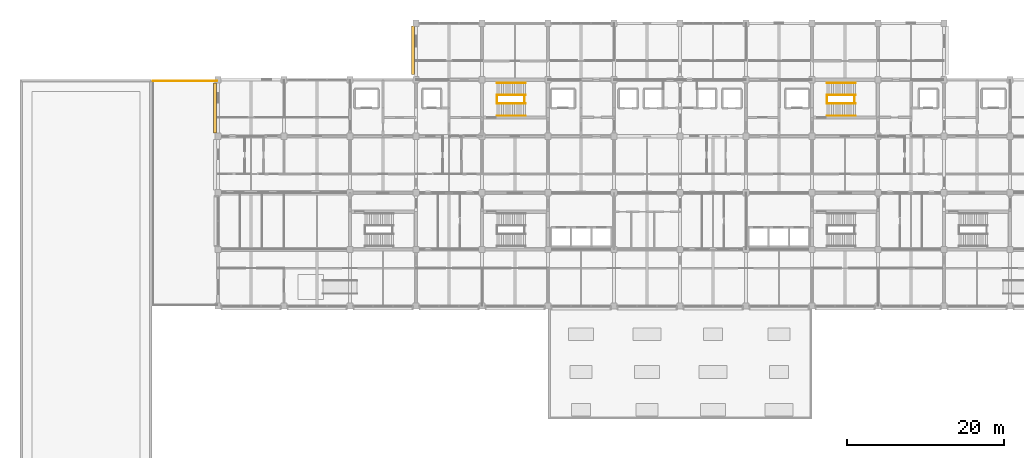
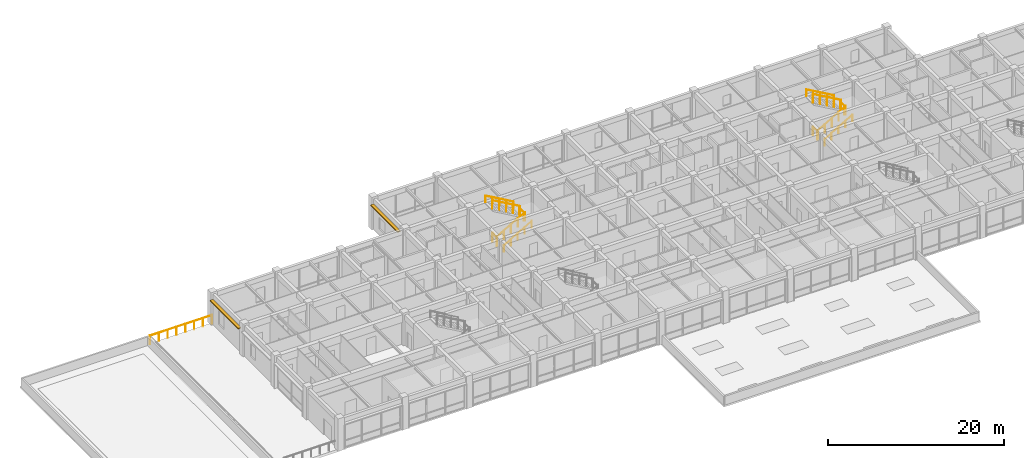
# One storey, part 37 of 40: 13 railings, 2 shading devices.
"""IFC4 building model written with IfcOpenShell, lengths in metres."""

from ifc_helpers import new_model, si_unit, direction, frame, origin, origin_2d, place, context, subcontext, project, spatial, rectangle, circle, extrude, material, type_object, element, save


model = new_model("IFC4")

# Units and contexts
model_context = context("Model", 3, precision=1e-05, world=origin(), true_north=direction((0.0, 1.0)))
body_context = subcontext(model_context, "Body", "Model", "MODEL_VIEW")
ifc_project = project(units=[si_unit("LENGTHUNIT", "METRE"), si_unit("AREAUNIT", "SQUARE_METRE"), si_unit("VOLUMEUNIT", "CUBIC_METRE"), si_unit("PLANEANGLEUNIT", "RADIAN"), si_unit("MASSUNIT", "GRAM", prefix="KILO")], contexts=[model_context])

# Site, building, storey
site_placement = place(None, origin())
site = spatial("IfcSite", under=ifc_project, at=site_placement, CompositionType="ELEMENT")
building_placement = place(site_placement, origin())
building = spatial("IfcBuilding", under=site, at=building_placement, Name="Chengyuan Square Courthouse", CompositionType="ELEMENT")
storey_placement = place(building_placement, frame((0.0, 0.0, 21.60009765625)))
storey = spatial("IfcBuildingStorey", under=building, at=storey_placement, Name="L05", CompositionType="ELEMENT", Elevation=21.60009765625)

# Railings
ifc_material_1 = material(Name="Stainless Steel S30408 and Laminated Glass Balustrade", Category="steel")
railing_type_1 = type_object("IfcRailingType", Name="RL-01", PredefinedType="BALUSTRADE", material=ifc_material_1)
railing_1_placement = place(storey_placement, frame((16.93994140625, 107.860107421875, 0.0)))
element("IfcRailing", 1, at=railing_1_placement, inside=storey, type_object=railing_type_1, Name="Terrace Safety Balustrade RL-TER-008", PredefinedType="BALUSTRADE", context=body_context, shape_type="SweptSolid", body=[
    extrude(circle(Radius=0.02392578125, at=origin_2d()), frame((0.0, 0.0, 1.17578125), z_axis=(1.0, 0.0, 0.0), x_axis=(0.0, 1.0, 0.0)), (0.0, 0.0, 1.0), 8.1201171875),
    extrude(circle(Radius=0.02099609375, at=origin_2d()), origin(), (0.0, 0.0, 1.0), 1.15185546875),
    extrude(circle(Radius=0.02099609375, at=origin_2d()), frame((1.159912109375, 0.0, 0.0)), (0.0, 0.0, 1.0), 1.15185546875),
    extrude(circle(Radius=0.02099609375, at=origin_2d()), frame((2.320068359375, 0.0, 0.0)), (0.0, 0.0, 1.0), 1.15185546875),
    extrude(circle(Radius=0.02099609375, at=origin_2d()), frame((3.47998046875, 0.0, 0.0)), (0.0, 0.0, 1.0), 1.15185546875),
    extrude(circle(Radius=0.02099609375, at=origin_2d()), frame((4.64013671875, 0.0, 0.0)), (0.0, 0.0, 1.0), 1.15185546875),
    extrude(circle(Radius=0.02099609375, at=origin_2d()), frame((5.800048828125, 0.0, 0.0)), (0.0, 0.0, 1.0), 1.15185546875),
    extrude(circle(Radius=0.02099609375, at=origin_2d()), frame((6.960205078125, 0.0, 0.0)), (0.0, 0.0, 1.0), 1.15185546875),
    extrude(circle(Radius=0.02099609375, at=origin_2d()), frame((8.1201171875, 0.0, 0.0)), (0.0, 0.0, 1.0), 1.15185546875),
])
ifc_material_2 = material(Name="Tempered Glass and Timber Top-Rail Balustrade", Category="wood")
railing_type_2 = type_object("IfcRailingType", Name="RL-02", PredefinedType="BALUSTRADE", material=ifc_material_2)
for number, where, name in (
    (2, (60.68994140625, 105.0, 0.0), "Stair Floor Slot Guard ST-1 L05"),
    (3, (64.22998046875, 105.0, 2.25), "Stair Landing Guard ST-1-L05"),
):
    element("IfcRailing", number, at=place(storey_placement, frame(where)), inside=storey, type_object=railing_type_2, Name=name, PredefinedType="BALUSTRADE", context=body_context, shape_type="SweptSolid", body=[
        extrude(circle(Radius=0.02392578125, at=origin_2d()), frame((0.0, 0.0, 1.17578125), z_axis=(0.0, 1.0, 0.0), x_axis=(-1.0, 0.0, 0.0)), (0.0, 0.0, 1.0), 1.0),
        extrude(circle(Radius=0.02099609375, at=origin_2d()), origin(), (0.0, 0.0, 1.0), 1.15185546875),
        extrude(circle(Radius=0.02099609375, at=origin_2d()), frame((0.0, 1.0, 0.0)), (0.0, 0.0, 1.0), 1.15185546875),
    ])
railing_2_placement = place(storey_placement, frame((60.7099609375, 104.949951171875, 0.16064453125)))
element("IfcRailing", 4, at=railing_2_placement, inside=storey, type_object=railing_type_2, Name="Stair Flight 1 Guard ST-1-L05", PredefinedType="BALUSTRADE", context=body_context, shape_type="SweptSolid", body=[
    extrude(circle(Radius=0.02392578125, at=origin_2d()), frame((0.0, 0.0, 1.17578125), z_axis=(0.867289372828, 0.0, 0.497804322781), x_axis=(0.0, 1.0, 0.0)), (0.0, 0.0, 1.0), 4.197021484375),
    extrude(circle(Radius=0.02099609375, at=origin_2d()), origin(), (0.0, 0.0, 1.0), 1.15185546875),
    extrude(circle(Radius=0.02099609375, at=origin_2d()), frame((0.91015625, 0.0, 0.5224609375)), (0.0, 0.0, 1.0), 1.15185546875),
    extrude(circle(Radius=0.02099609375, at=origin_2d()), frame((1.820068359375, 0.0, 1.044677734375)), (0.0, 0.0, 1.0), 1.15185546875),
    extrude(circle(Radius=0.02099609375, at=origin_2d()), frame((2.72998046875, 0.0, 1.56689453125)), (0.0, 0.0, 1.0), 1.15185546875),
    extrude(circle(Radius=0.02099609375, at=origin_2d()), frame((3.64013671875, 0.0, 2.08935546875)), (0.0, 0.0, 1.0), 1.15185546875),
])
railing_3_placement = place(storey_placement, frame((64.35009765625, 106.050048828125, 2.41064453125)))
element("IfcRailing", 5, at=railing_3_placement, inside=storey, type_object=railing_type_2, Name="Stair Flight 2 Guard ST-1-L05", PredefinedType="BALUSTRADE", context=body_context, shape_type="SweptSolid", body=[
    extrude(circle(Radius=0.02392578125, at=origin_2d()), frame((0.0, 0.0, 1.17578125), z_axis=(-0.867289372828, 0.0, 0.497804322781), x_axis=(0.0, -1.0, 0.0)), (0.0, 0.0, 1.0), 4.197021484375),
    extrude(circle(Radius=0.02099609375, at=origin_2d()), origin(), (0.0, 0.0, 1.0), 1.15185546875),
    extrude(circle(Radius=0.02099609375, at=origin_2d()), frame((-0.91015625, 0.0, 0.5224609375)), (0.0, 0.0, 1.0), 1.15185546875),
    extrude(circle(Radius=0.02099609375, at=origin_2d()), frame((-1.820068359375, 0.0, 1.044677734375)), (0.0, 0.0, 1.0), 1.15185546875),
    extrude(circle(Radius=0.02099609375, at=origin_2d()), frame((-2.72998046875, 0.0, 1.56689453125)), (0.0, 0.0, 1.0), 1.15185546875),
    extrude(circle(Radius=0.02099609375, at=origin_2d()), frame((-3.64013671875, 0.0, 2.08935546875)), (0.0, 0.0, 1.0), 1.15185546875),
])
for number, where, name in (
    (6, (102.68994140625, 105.0, 0.0), "Stair Floor Slot Guard ST-2 L05"),
    (7, (106.22998046875, 105.0, 2.25), "Stair Landing Guard ST-2-L05"),
):
    element("IfcRailing", number, at=place(storey_placement, frame(where)), inside=storey, type_object=railing_type_2, Name=name, PredefinedType="BALUSTRADE", context=body_context, shape_type="SweptSolid", body=[
        extrude(circle(Radius=0.02392578125, at=origin_2d()), frame((0.0, 0.0, 1.17578125), z_axis=(0.0, 1.0, 0.0), x_axis=(-1.0, 0.0, 0.0)), (0.0, 0.0, 1.0), 1.0),
        extrude(circle(Radius=0.02099609375, at=origin_2d()), origin(), (0.0, 0.0, 1.0), 1.15185546875),
        extrude(circle(Radius=0.02099609375, at=origin_2d()), frame((0.0, 1.0, 0.0)), (0.0, 0.0, 1.0), 1.15185546875),
    ])
railing_4_placement = place(storey_placement, frame((102.7099609375, 104.949951171875, 0.16064453125)))
element("IfcRailing", 8, at=railing_4_placement, inside=storey, type_object=railing_type_2, Name="Stair Flight 1 Guard ST-2-L05", PredefinedType="BALUSTRADE", context=body_context, shape_type="SweptSolid", body=[
    extrude(circle(Radius=0.02392578125, at=origin_2d()), frame((0.0, 0.0, 1.17578125), z_axis=(0.867289372828, 0.0, 0.497804322781), x_axis=(0.0, 1.0, 0.0)), (0.0, 0.0, 1.0), 4.197021484375),
    extrude(circle(Radius=0.02099609375, at=origin_2d()), origin(), (0.0, 0.0, 1.0), 1.15185546875),
    extrude(circle(Radius=0.02099609375, at=origin_2d()), frame((0.91015625, 0.0, 0.5224609375)), (0.0, 0.0, 1.0), 1.15185546875),
    extrude(circle(Radius=0.02099609375, at=origin_2d()), frame((1.820068359375, 0.0, 1.044677734375)), (0.0, 0.0, 1.0), 1.15185546875),
    extrude(circle(Radius=0.02099609375, at=origin_2d()), frame((2.72998046875, 0.0, 1.56689453125)), (0.0, 0.0, 1.0), 1.15185546875),
    extrude(circle(Radius=0.02099609375, at=origin_2d()), frame((3.64013671875, 0.0, 2.08935546875)), (0.0, 0.0, 1.0), 1.15185546875),
])
railing_5_placement = place(storey_placement, frame((106.35009765625, 106.050048828125, 2.41064453125)))
element("IfcRailing", 9, at=railing_5_placement, inside=storey, type_object=railing_type_2, Name="Stair Flight 2 Guard ST-2-L05", PredefinedType="BALUSTRADE", context=body_context, shape_type="SweptSolid", body=[
    extrude(circle(Radius=0.02392578125, at=origin_2d()), frame((0.0, 0.0, 1.17578125), z_axis=(-0.867289372828, 0.0, 0.497804322781), x_axis=(0.0, -1.0, 0.0)), (0.0, 0.0, 1.0), 4.197021484375),
    extrude(circle(Radius=0.02099609375, at=origin_2d()), origin(), (0.0, 0.0, 1.0), 1.15185546875),
    extrude(circle(Radius=0.02099609375, at=origin_2d()), frame((-0.91015625, 0.0, 0.5224609375)), (0.0, 0.0, 1.0), 1.15185546875),
    extrude(circle(Radius=0.02099609375, at=origin_2d()), frame((-1.820068359375, 0.0, 1.044677734375)), (0.0, 0.0, 1.0), 1.15185546875),
    extrude(circle(Radius=0.02099609375, at=origin_2d()), frame((-2.72998046875, 0.0, 1.56689453125)), (0.0, 0.0, 1.0), 1.15185546875),
    extrude(circle(Radius=0.02099609375, at=origin_2d()), frame((-3.64013671875, 0.0, 2.08935546875)), (0.0, 0.0, 1.0), 1.15185546875),
])
ifc_material_3 = material(Name="Stainless Steel S30408 Stair Handrail", Category="steel")
railing_type_3 = type_object("IfcRailingType", Name="RL-04", PredefinedType="HANDRAIL", material=ifc_material_3)
railing_6_placement = place(storey_placement, frame((60.7099609375, 103.419921875, 0.16064453125)))
element("IfcRailing", 10, at=railing_6_placement, inside=storey, type_object=railing_type_3, Name="Stair Flight 1 Handrail ST-1-L05", PredefinedType="HANDRAIL", context=body_context, shape_type="SweptSolid", body=[
    extrude(circle(Radius=0.02392578125, at=origin_2d()), frame((0.0, 0.0, 0.8759765625), z_axis=(0.867289372828, 0.0, 0.497804322781), x_axis=(0.0, 1.0, 0.0)), (0.0, 0.0, 1.0), 4.197021484375),
    extrude(circle(Radius=0.02099609375, at=origin_2d()), origin(), (0.0, 0.0, 1.0), 0.851806640625),
    extrude(circle(Radius=0.02099609375, at=origin_2d()), frame((0.91015625, 0.0, 0.5224609375)), (0.0, 0.0, 1.0), 0.851806640625),
    extrude(circle(Radius=0.02099609375, at=origin_2d()), frame((1.820068359375, 0.0, 1.044677734375)), (0.0, 0.0, 1.0), 0.851806640625),
    extrude(circle(Radius=0.02099609375, at=origin_2d()), frame((2.72998046875, 0.0, 1.56689453125)), (0.0, 0.0, 1.0), 0.851806640625),
    extrude(circle(Radius=0.02099609375, at=origin_2d()), frame((3.64013671875, 0.0, 2.08935546875)), (0.0, 0.0, 1.0), 0.851806640625),
])
railing_7_placement = place(storey_placement, frame((64.35009765625, 107.580078125, 2.41064453125)))
element("IfcRailing", 11, at=railing_7_placement, inside=storey, type_object=railing_type_3, Name="Stair Flight 2 Handrail ST-1-L05", PredefinedType="HANDRAIL", context=body_context, shape_type="SweptSolid", body=[
    extrude(circle(Radius=0.02392578125, at=origin_2d()), frame((0.0, 0.0, 0.8759765625), z_axis=(-0.867289372828, 0.0, 0.497804322781), x_axis=(0.0, -1.0, 0.0)), (0.0, 0.0, 1.0), 4.197021484375),
    extrude(circle(Radius=0.02099609375, at=origin_2d()), origin(), (0.0, 0.0, 1.0), 0.851806640625),
    extrude(circle(Radius=0.02099609375, at=origin_2d()), frame((-0.91015625, 0.0, 0.5224609375)), (0.0, 0.0, 1.0), 0.851806640625),
    extrude(circle(Radius=0.02099609375, at=origin_2d()), frame((-1.820068359375, 0.0, 1.044677734375)), (0.0, 0.0, 1.0), 0.851806640625),
    extrude(circle(Radius=0.02099609375, at=origin_2d()), frame((-2.72998046875, 0.0, 1.56689453125)), (0.0, 0.0, 1.0), 0.851806640625),
    extrude(circle(Radius=0.02099609375, at=origin_2d()), frame((-3.64013671875, 0.0, 2.08935546875)), (0.0, 0.0, 1.0), 0.851806640625),
])
railing_8_placement = place(storey_placement, frame((102.7099609375, 103.419921875, 0.16064453125)))
element("IfcRailing", 12, at=railing_8_placement, inside=storey, type_object=railing_type_3, Name="Stair Flight 1 Handrail ST-2-L05", PredefinedType="HANDRAIL", context=body_context, shape_type="SweptSolid", body=[
    extrude(circle(Radius=0.02392578125, at=origin_2d()), frame((0.0, 0.0, 0.8759765625), z_axis=(0.867289372828, 0.0, 0.497804322781), x_axis=(0.0, 1.0, 0.0)), (0.0, 0.0, 1.0), 4.197021484375),
    extrude(circle(Radius=0.02099609375, at=origin_2d()), origin(), (0.0, 0.0, 1.0), 0.851806640625),
    extrude(circle(Radius=0.02099609375, at=origin_2d()), frame((0.91015625, 0.0, 0.5224609375)), (0.0, 0.0, 1.0), 0.851806640625),
    extrude(circle(Radius=0.02099609375, at=origin_2d()), frame((1.820068359375, 0.0, 1.044677734375)), (0.0, 0.0, 1.0), 0.851806640625),
    extrude(circle(Radius=0.02099609375, at=origin_2d()), frame((2.72998046875, 0.0, 1.56689453125)), (0.0, 0.0, 1.0), 0.851806640625),
    extrude(circle(Radius=0.02099609375, at=origin_2d()), frame((3.64013671875, 0.0, 2.08935546875)), (0.0, 0.0, 1.0), 0.851806640625),
])
railing_9_placement = place(storey_placement, frame((106.35009765625, 107.580078125, 2.41064453125)))
element("IfcRailing", 13, at=railing_9_placement, inside=storey, type_object=railing_type_3, Name="Stair Flight 2 Handrail ST-2-L05", PredefinedType="HANDRAIL", context=body_context, shape_type="SweptSolid", body=[
    extrude(circle(Radius=0.02392578125, at=origin_2d()), frame((0.0, 0.0, 0.8759765625), z_axis=(-0.867289372828, 0.0, 0.497804322781), x_axis=(0.0, -1.0, 0.0)), (0.0, 0.0, 1.0), 4.197021484375),
    extrude(circle(Radius=0.02099609375, at=origin_2d()), origin(), (0.0, 0.0, 1.0), 0.851806640625),
    extrude(circle(Radius=0.02099609375, at=origin_2d()), frame((-0.91015625, 0.0, 0.5224609375)), (0.0, 0.0, 1.0), 0.851806640625),
    extrude(circle(Radius=0.02099609375, at=origin_2d()), frame((-1.820068359375, 0.0, 1.044677734375)), (0.0, 0.0, 1.0), 0.851806640625),
    extrude(circle(Radius=0.02099609375, at=origin_2d()), frame((-2.72998046875, 0.0, 1.56689453125)), (0.0, 0.0, 1.0), 0.851806640625),
    extrude(circle(Radius=0.02099609375, at=origin_2d()), frame((-3.64013671875, 0.0, 2.08935546875)), (0.0, 0.0, 1.0), 0.851806640625),
])

# Shading devices
ifc_material_4 = material(Name="Glulam TCt28 Facade Sunshade", Category="wood")
shading_device_type = type_object("IfcShadingDeviceType", Name="SHD-03", PredefinedType="AWNING", material=ifc_material_4)
shading_device_1_placement = place(storey_placement, frame((24.8330078125, 104.39990234375, 3.39990234375), z_axis=(0.0, 0.0, 1.0), x_axis=(0.0, 1.0, 0.0)))
element("IfcShadingDevice", 14, at=shading_device_1_placement, inside=storey, type_object=shading_device_type, Name="Glulam Facade Sunshade SHD-L05-0530", PredefinedType="AWNING", context=body_context, shape_type="SweptSolid", body=[
    extrude(rectangle(XDim=6.409912109375, YDim=0.39990234375, at=origin_2d()), origin(), (0.0, 0.0, 1.0), 0.139892578125),
])
shading_device_2_placement = place(storey_placement, frame((50.032958984375, 111.75, 3.39990234375), z_axis=(0.0, 0.0, 1.0), x_axis=(0.0, 1.0, 0.0)))
element("IfcShadingDevice", 15, at=shading_device_2_placement, inside=storey, type_object=shading_device_type, Name="Glulam Facade Sunshade SHD-L05-0540", PredefinedType="AWNING", context=body_context, shape_type="SweptSolid", body=[
    extrude(rectangle(XDim=6.110107421875, YDim=0.39990234375, at=origin_2d()), origin(), (0.0, 0.0, 1.0), 0.139892578125),
])

save(model, "model.ifc")
